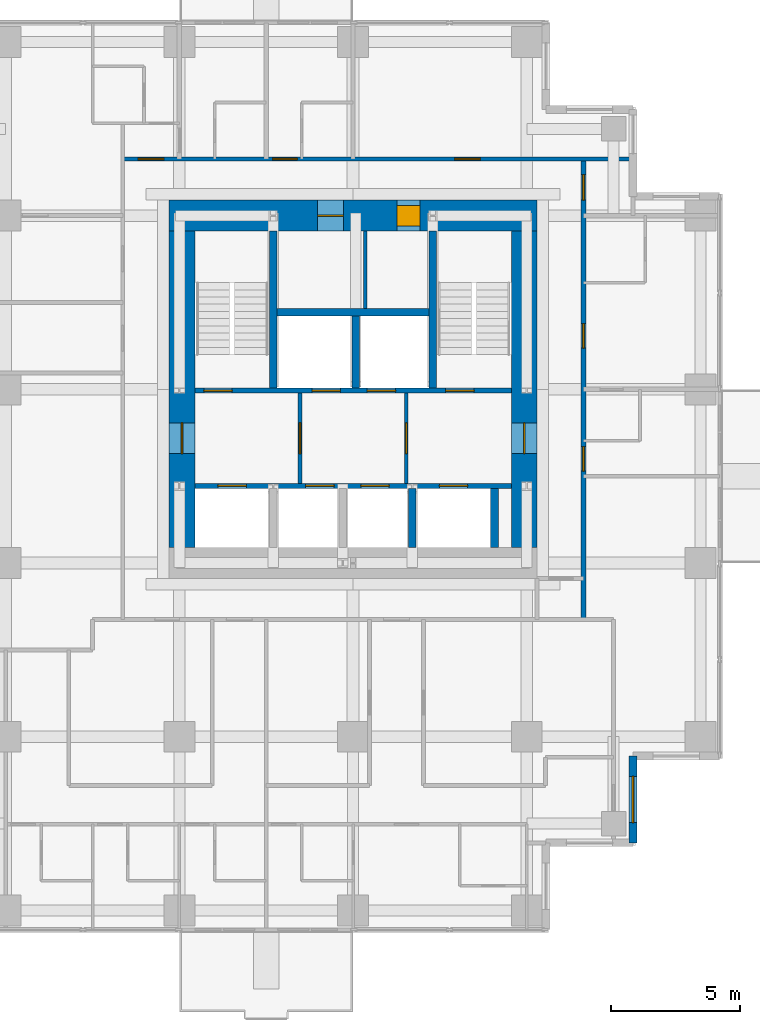
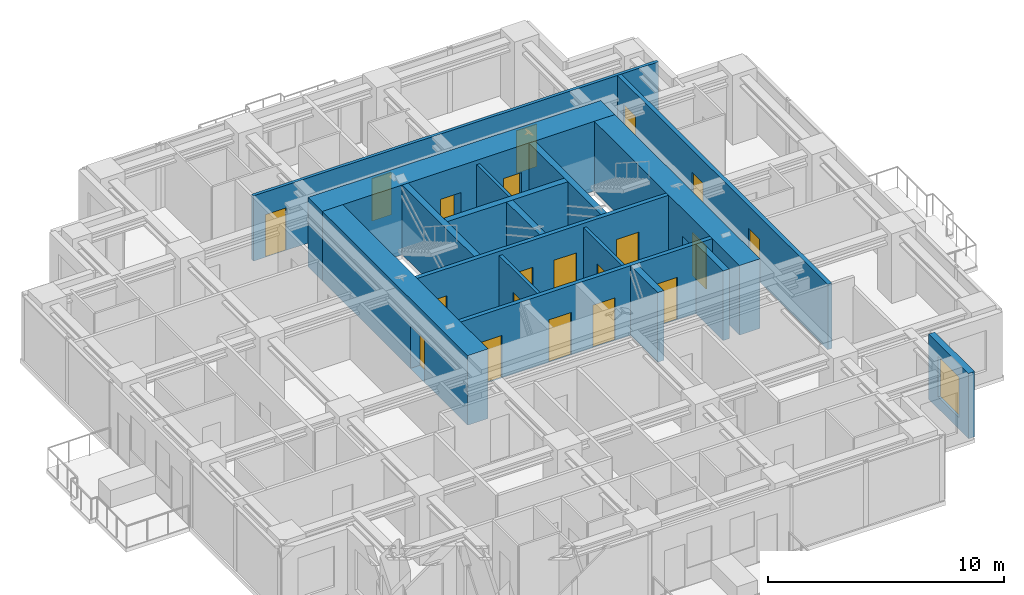
# One storey, part 7 of 10: 20 doors, 17 walls, 1 window, 21 openings.
"""IFC4 building model written with IfcOpenShell, lengths in metres."""

from ifc_helpers import new_model, si_unit, direction, frame, frame_2d, origin, place, context, subcontext, project, spatial, rectangle, extrude, material, layer, layer_set, type_object, element, fill, save


model = new_model("IFC4")

# Units and contexts
model_context = context("Model", 3, precision=1e-05, world=origin(), true_north=direction((0.0, 1.0)))
body_context = subcontext(model_context, "Body", "Model", "MODEL_VIEW")
ifc_project = project(units=[si_unit("LENGTHUNIT", "METRE"), si_unit("AREAUNIT", "SQUARE_METRE"), si_unit("VOLUMEUNIT", "CUBIC_METRE"), si_unit("PLANEANGLEUNIT", "RADIAN"), si_unit("MASSUNIT", "GRAM", prefix="KILO")], contexts=[model_context])

# Site, building, storey
site_placement = place(None, origin())
site = spatial("IfcSite", under=ifc_project, at=site_placement, CompositionType="ELEMENT")
building_placement = place(site_placement, origin())
building = spatial("IfcBuilding", under=site, at=building_placement, Name="Nyansa Garden Tower", CompositionType="ELEMENT")
storey_placement = place(building_placement, frame((0.0, 0.0, 178.199951171875)))
storey = spatial("IfcBuildingStorey", under=building, at=storey_placement, Name="L48", CompositionType="ELEMENT", Elevation=178.199951171875)

# Wall, openings, doors
ifc_material_1 = material(Name="Concrete C70/85", Category="concrete")
ifc_layer_1 = layer(ifc_material_1, 0.199951171875)
ifc_layer_set_1 = layer_set([ifc_layer_1], Name="Core inner wall CI200")
wall_type_1 = type_object("IfcWallType", Name="Core inner wall CI200", PredefinedType="SHEAR", material=ifc_layer_set_1)
wall_1_placement = place(storey_placement, frame((14.10009765625, 16.5, 0.0), z_axis=(0.0, 0.0, 1.0), x_axis=(1.0, 0.0, 0.0)))
wall_1 = element("IfcWall", 1, at=wall_1_placement, inside=storey, type_object=wall_type_1, Name="Core inner wall L48", PredefinedType="SHEAR", context=body_context, shape_type="SweptSolid", body=[
    extrude(rectangle(XDim=12.2998046875, YDim=0.199951171875, at=frame_2d((6.14990234375, 0.0))), origin(), (0.0, 0.0, 1.0), 3.60009765625),
])
opening_1_placement = place(wall_1_placement, frame((0.89990234375, 0.0, 0.0)))
opening_1 = element("IfcOpeningElement", 2, at=opening_1_placement, cuts=wall_1, Name="Opening LD-F", PredefinedType="OPENING", context=body_context, shape_type="SweptSolid", body=[
    extrude(rectangle(XDim=1.10009765625, YDim=2.199951171875, at=frame_2d((0.550048828125, 1.10009765625))), frame((0.0, 0.10986328125, 0.0), z_axis=(0.0, -1.0, 0.0), x_axis=(1.0, 0.0, 0.0)), (0.0, 0.0, 1.0), 0.219970703125),
])
opening_2_placement = place(wall_1_placement, frame((4.31005859375, 0.0, 0.0)))
opening_2 = element("IfcOpeningElement", 3, at=opening_2_placement, cuts=wall_1, Name="Opening LD-B", PredefinedType="OPENING", context=body_context, shape_type="SweptSolid", body=[
    extrude(rectangle(XDim=1.10009765625, YDim=2.199951171875, at=frame_2d((0.550048828125, 1.10009765625))), frame((0.0, 0.10986328125, 0.0), z_axis=(0.0, -1.0, 0.0), x_axis=(1.0, 0.0, 0.0)), (0.0, 0.0, 1.0), 0.219970703125),
])
opening_3_placement = place(wall_1_placement, frame((6.449951171875, 0.0, 0.0)))
opening_3 = element("IfcOpeningElement", 4, at=opening_3_placement, cuts=wall_1, Name="Opening LD-B", PredefinedType="OPENING", context=body_context, shape_type="SweptSolid", body=[
    extrude(rectangle(XDim=1.10009765625, YDim=2.199951171875, at=frame_2d((0.550048828125, 1.10009765625))), frame((0.0, 0.10986328125, 0.0), z_axis=(0.0, -1.0, 0.0), x_axis=(1.0, 0.0, 0.0)), (0.0, 0.0, 1.0), 0.219970703125),
])
opening_4_placement = place(wall_1_placement, frame((9.5, 0.0, 0.0)))
opening_4 = element("IfcOpeningElement", 5, at=opening_4_placement, cuts=wall_1, Name="Opening LD-F", PredefinedType="OPENING", context=body_context, shape_type="SweptSolid", body=[
    extrude(rectangle(XDim=1.10009765625, YDim=2.199951171875, at=frame_2d((0.550048828125, 1.10009765625))), frame((0.0, 0.10986328125, 0.0), z_axis=(0.0, -1.0, 0.0), x_axis=(1.0, 0.0, 0.0)), (0.0, 0.0, 1.0), 0.219970703125),
])
ifc_material_2 = material(Name="Stainless steel centre-opening landing door of the high-rise lift, E 120", Category="steel")
door_type_1 = type_object("IfcDoorType", Name="Lift landing door LD-B 1100x2200", OperationType="DOUBLE_DOOR_SLIDING", PredefinedType="DOOR", material=ifc_material_2)
door_1_placement = place(opening_2_placement, origin())
door_1 = element("IfcDoor", 6, at=door_1_placement, inside=storey, type_object=door_type_1, Name="Landing door B1", OperationType="DOUBLE_DOOR_SLIDING", OverallHeight=2.199951171875, OverallWidth=1.10009765625, PredefinedType="DOOR", context=body_context, shape_type="SweptSolid", body=[
    extrude(rectangle(XDim=1.10009765625, YDim=2.199951171875, at=frame_2d((0.550048828125, 1.10009765625))), frame((0.0, 0.02490234375, 0.0), z_axis=(0.0, -1.0, 0.0), x_axis=(1.0, 0.0, 0.0)), (0.0, 0.0, 1.0), 0.050048828125),
])
fill(opening_2, door_1)
door_2_placement = place(opening_3_placement, origin())
door_2 = element("IfcDoor", 7, at=door_2_placement, inside=storey, type_object=door_type_1, Name="Landing door B2", OperationType="DOUBLE_DOOR_SLIDING", OverallHeight=2.199951171875, OverallWidth=1.10009765625, PredefinedType="DOOR", context=body_context, shape_type="SweptSolid", body=[
    extrude(rectangle(XDim=1.10009765625, YDim=2.199951171875, at=frame_2d((0.550048828125, 1.10009765625))), frame((0.0, 0.02490234375, 0.0), z_axis=(0.0, -1.0, 0.0), x_axis=(1.0, 0.0, 0.0)), (0.0, 0.0, 1.0), 0.050048828125),
])
fill(opening_3, door_2)
ifc_material_3 = material(Name="Stainless steel centre-opening landing door of the firefighting lift, EN 81-72, E 120", Category="steel")
door_type_2 = type_object("IfcDoorType", Name="Lift landing door LD-F 1100x2200", OperationType="DOUBLE_DOOR_SLIDING", PredefinedType="DOOR", material=ifc_material_3)
door_3_placement = place(opening_1_placement, origin())
door_3 = element("IfcDoor", 8, at=door_3_placement, inside=storey, type_object=door_type_2, Name="Landing door FF1", OperationType="DOUBLE_DOOR_SLIDING", OverallHeight=2.199951171875, OverallWidth=1.10009765625, PredefinedType="DOOR", context=body_context, shape_type="SweptSolid", body=[
    extrude(rectangle(XDim=1.10009765625, YDim=2.199951171875, at=frame_2d((0.550048828125, 1.10009765625))), frame((0.0, 0.02490234375, 0.0), z_axis=(0.0, -1.0, 0.0), x_axis=(1.0, 0.0, 0.0)), (0.0, 0.0, 1.0), 0.050048828125),
])
fill(opening_1, door_3)
door_4_placement = place(opening_4_placement, origin())
door_4 = element("IfcDoor", 9, at=door_4_placement, inside=storey, type_object=door_type_2, Name="Landing door FF2", OperationType="DOUBLE_DOOR_SLIDING", OverallHeight=2.199951171875, OverallWidth=1.10009765625, PredefinedType="DOOR", context=body_context, shape_type="SweptSolid", body=[
    extrude(rectangle(XDim=1.10009765625, YDim=2.199951171875, at=frame_2d((0.550048828125, 1.10009765625))), frame((0.0, 0.02490234375, 0.0), z_axis=(0.0, -1.0, 0.0), x_axis=(1.0, 0.0, 0.0)), (0.0, 0.0, 1.0), 0.050048828125),
])
fill(opening_4, door_4)

wall_2_placement = place(storey_placement, frame((14.10009765625, 20.199951171875, 0.0), z_axis=(0.0, 0.0, 1.0), x_axis=(1.0, 0.0, 0.0)))
wall_2 = element("IfcWall", 10, at=wall_2_placement, inside=storey, type_object=wall_type_1, Name="Core inner wall L48", PredefinedType="SHEAR", context=body_context, shape_type="SweptSolid", body=[
    extrude(rectangle(XDim=12.2998046875, YDim=0.199951171875, at=frame_2d((6.14990234375, 0.0))), origin(), (0.0, 0.0, 1.0), 3.60009765625),
])
opening_5_placement = place(wall_2_placement, frame((4.56005859375, 0.0, 0.0)))
opening_5 = element("IfcOpeningElement", 11, at=opening_5_placement, cuts=wall_2, Name="Opening LD-B", PredefinedType="OPENING", context=body_context, shape_type="SweptSolid", body=[
    extrude(rectangle(XDim=1.10009765625, YDim=2.199951171875, at=frame_2d((0.550048828125, 1.10009765625))), frame((0.0, 0.10986328125, 0.0), z_axis=(0.0, -1.0, 0.0), x_axis=(1.0, 0.0, 0.0)), (0.0, 0.0, 1.0), 0.219970703125),
])
opening_6_placement = place(wall_2_placement, frame((6.699951171875, 0.0, 0.0)))
opening_6 = element("IfcOpeningElement", 12, at=opening_6_placement, cuts=wall_2, Name="Opening LD-B", PredefinedType="OPENING", context=body_context, shape_type="SweptSolid", body=[
    extrude(rectangle(XDim=1.10009765625, YDim=2.199951171875, at=frame_2d((0.550048828125, 1.10009765625))), frame((0.0, 0.10986328125, 0.0), z_axis=(0.0, -1.0, 0.0), x_axis=(1.0, 0.0, 0.0)), (0.0, 0.0, 1.0), 0.219970703125),
])
opening_7_placement = place(wall_2_placement, frame((0.35009765625, 0.0, 0.0)))
opening_7 = element("IfcOpeningElement", 13, at=opening_7_placement, cuts=wall_2, Name="Opening D05", PredefinedType="OPENING", context=body_context, shape_type="SweptSolid", body=[
    extrude(rectangle(XDim=1.10009765625, YDim=2.199951171875, at=frame_2d((0.550048828125, 1.10009765625))), frame((0.0, 0.10986328125, 0.0), z_axis=(0.0, -1.0, 0.0), x_axis=(1.0, 0.0, 0.0)), (0.0, 0.0, 1.0), 0.219970703125),
])
opening_8_placement = place(wall_2_placement, frame((9.75, 0.0, 0.0)))
opening_8 = element("IfcOpeningElement", 14, at=opening_8_placement, cuts=wall_2, Name="Opening D05", PredefinedType="OPENING", context=body_context, shape_type="SweptSolid", body=[
    extrude(rectangle(XDim=1.10009765625, YDim=2.199951171875, at=frame_2d((0.550048828125, 1.10009765625))), frame((0.0, 0.10986328125, 0.0), z_axis=(0.0, -1.0, 0.0), x_axis=(1.0, 0.0, 0.0)), (0.0, 0.0, 1.0), 0.219970703125),
])
door_5_placement = place(opening_5_placement, origin())
door_5 = element("IfcDoor", 15, at=door_5_placement, inside=storey, type_object=door_type_1, Name="Landing door B3", OperationType="DOUBLE_DOOR_SLIDING", OverallHeight=2.199951171875, OverallWidth=1.10009765625, PredefinedType="DOOR", context=body_context, shape_type="SweptSolid", body=[
    extrude(rectangle(XDim=1.10009765625, YDim=2.199951171875, at=frame_2d((0.550048828125, 1.10009765625))), frame((0.0, 0.02490234375, 0.0), z_axis=(0.0, -1.0, 0.0), x_axis=(1.0, 0.0, 0.0)), (0.0, 0.0, 1.0), 0.050048828125),
])
fill(opening_5, door_5)
door_6_placement = place(opening_6_placement, origin())
door_6 = element("IfcDoor", 16, at=door_6_placement, inside=storey, type_object=door_type_1, Name="Landing door B4", OperationType="DOUBLE_DOOR_SLIDING", OverallHeight=2.199951171875, OverallWidth=1.10009765625, PredefinedType="DOOR", context=body_context, shape_type="SweptSolid", body=[
    extrude(rectangle(XDim=1.10009765625, YDim=2.199951171875, at=frame_2d((0.550048828125, 1.10009765625))), frame((0.0, 0.02490234375, 0.0), z_axis=(0.0, -1.0, 0.0), x_axis=(1.0, 0.0, 0.0)), (0.0, 0.0, 1.0), 0.050048828125),
])
fill(opening_6, door_6)
ifc_material_4 = material(Name="Steel door, 120 minute fire resisting", Category="steel")
door_type_3 = type_object("IfcDoorType", Name="Stair door D05 1100x2200", OperationType="SINGLE_SWING_LEFT", PredefinedType="DOOR", material=ifc_material_4)
door_7_placement = place(opening_7_placement, origin())
door_7 = element("IfcDoor", 17, at=door_7_placement, inside=storey, type_object=door_type_3, Name="Stair S1 door", OperationType="SINGLE_SWING_LEFT", OverallHeight=2.199951171875, OverallWidth=1.10009765625, PredefinedType="DOOR", context=body_context, shape_type="SweptSolid", body=[
    extrude(rectangle(XDim=1.10009765625, YDim=2.199951171875, at=frame_2d((0.550048828125, 1.10009765625))), frame((0.0, 0.02490234375, 0.0), z_axis=(0.0, -1.0, 0.0), x_axis=(1.0, 0.0, 0.0)), (0.0, 0.0, 1.0), 0.050048828125),
])
fill(opening_7, door_7)
door_8_placement = place(opening_8_placement, origin())
door_8 = element("IfcDoor", 18, at=door_8_placement, inside=storey, type_object=door_type_3, Name="Stair S2 door", OperationType="SINGLE_SWING_LEFT", OverallHeight=2.199951171875, OverallWidth=1.10009765625, PredefinedType="DOOR", context=body_context, shape_type="SweptSolid", body=[
    extrude(rectangle(XDim=1.10009765625, YDim=2.199951171875, at=frame_2d((0.550048828125, 1.10009765625))), frame((0.0, 0.02490234375, 0.0), z_axis=(0.0, -1.0, 0.0), x_axis=(1.0, 0.0, 0.0)), (0.0, 0.0, 1.0), 0.050048828125),
])
fill(opening_8, door_8)

# Walls
ifc_material_5 = material(Name="Concrete C70/85", Category="concrete")
ifc_layer_2 = layer(ifc_material_5, 0.300048828125)
ifc_layer_set_2 = layer_set([ifc_layer_2], Name="Core inner wall CI300")
wall_type_2 = type_object("IfcWallType", Name="Core inner wall CI300", PredefinedType="SHEAR", material=ifc_layer_set_2)
for number, where, z_axis, x_axis, name in (
    (19, (17.14990234375, 20.300048828125, 0.0), (0.0, 0.0, 1.0), (0.0, 1.0, 0.0), "Core inner wall L48"),
    (20, (23.35009765625, 20.300048828125, 0.0), (0.0, 0.0, 1.0), (0.0, 1.0, 0.0), "Core inner wall L48"),
):
    element("IfcWall", number, at=place(storey_placement, frame(where, z_axis=z_axis, x_axis=x_axis)), inside=storey, type_object=wall_type_2, Name=name, PredefinedType="SHEAR", context=body_context, shape_type="SweptSolid", body=[
        extrude(rectangle(XDim=6.099853515625, YDim=0.300048828125, at=frame_2d((3.0498046875, 0.0))), origin(), (0.0, 0.0, 1.0), 3.60009765625),
    ])
wall_3_placement = place(storey_placement, frame((20.35009765625, 20.300048828125, 0.0), z_axis=(0.0, 0.0, 1.0), x_axis=(0.0, 1.0, 0.0)))
element("IfcWall", 21, at=wall_3_placement, inside=storey, type_object=wall_type_2, Name="Core inner wall L48", PredefinedType="SHEAR", context=body_context, shape_type="SweptSolid", body=[
    extrude(rectangle(XDim=2.800048828125, YDim=0.300048828125, at=frame_2d((1.39990234375, 0.0))), origin(), (0.0, 0.0, 1.0), 3.60009765625),
])
wall_4_placement = place(storey_placement, frame((17.300048828125, 23.25, 0.0), z_axis=(0.0, 0.0, 1.0), x_axis=(1.0, 0.0, 0.0)))
element("IfcWall", 22, at=wall_4_placement, inside=storey, type_object=wall_type_2, Name="Core inner wall L48", PredefinedType="SHEAR", context=body_context, shape_type="SweptSolid", body=[
    extrude(rectangle(XDim=5.89990234375, YDim=0.300048828125, at=frame_2d((2.949951171875, 0.0))), origin(), (0.0, 0.0, 1.0), 3.60009765625),
])
for number, where, z_axis, x_axis, name in (
    (23, (22.550048828125, 14.10009765625, 0.0), (0.0, 0.0, 1.0), (0.0, 1.0, 0.0), "Core inner wall L48"),
    (24, (25.75, 14.10009765625, 0.0), (0.0, 0.0, 1.0), (0.0, 1.0, 0.0), "Core inner wall L48"),
):
    element("IfcWall", number, at=place(storey_placement, frame(where, z_axis=z_axis, x_axis=x_axis)), inside=storey, type_object=wall_type_2, Name=name, PredefinedType="SHEAR", context=body_context, shape_type="SweptSolid", body=[
        extrude(rectangle(XDim=2.2998046875, YDim=0.300048828125, at=frame_2d((1.14990234375, 0.0))), origin(), (0.0, 0.0, 1.0), 3.60009765625),
    ])

# Wall, opening, door
ifc_material_6 = material(Name="Concrete C80/95", Category="concrete")
ifc_layer_3 = layer(ifc_material_6, 1.0)
ifc_layer_set_3 = layer_set([ifc_layer_3], Name="Core wall CW1000")
wall_type_3 = type_object("IfcWallType", Name="Core wall CW1000", PredefinedType="SHEAR", material=ifc_layer_set_3)
wall_5_placement = place(storey_placement, frame((26.89990234375, 14.10009765625, 0.0), z_axis=(0.0, 0.0, 1.0), x_axis=(0.0, 1.0, 0.0)))
wall_5 = element("IfcWall", 25, at=wall_5_placement, inside=storey, type_object=wall_type_3, Name="Core wall E L48", PredefinedType="SHEAR", context=body_context, shape_type="SweptSolid", body=[
    extrude(rectangle(XDim=12.2998046875, YDim=1.0, at=frame_2d((6.14990234375, 0.0))), origin(), (0.0, 0.0, 1.0), 3.60009765625),
])
opening_9_placement = place(wall_5_placement, frame((3.64990234375, 0.0, 0.0)))
opening_9 = element("IfcOpeningElement", 26, at=opening_9_placement, cuts=wall_5, Name="Opening D06", PredefinedType="OPENING", context=body_context, shape_type="SweptSolid", body=[
    extrude(rectangle(XDim=1.199951171875, YDim=2.199951171875, at=frame_2d((0.60009765625, 1.10009765625))), frame((0.0, 0.510009765625, 0.0), z_axis=(0.0, -1.0, 0.0), x_axis=(1.0, 0.0, 0.0)), (0.0, 0.0, 1.0), 1.02001953125),
])
ifc_material_7 = material(Name="Steel door, 120 minute fire resisting", Category="steel")
door_type_4 = type_object("IfcDoorType", Name="Lobby door D06 1200x2200", OperationType="DOUBLE_DOOR_SINGLE_SWING", PredefinedType="DOOR", material=ifc_material_7)
door_9_placement = place(opening_9_placement, origin())
door_9 = element("IfcDoor", 27, at=door_9_placement, inside=storey, type_object=door_type_4, Name="Lift lobby door east", OperationType="DOUBLE_DOOR_SINGLE_SWING", OverallHeight=2.199951171875, OverallWidth=1.199951171875, PredefinedType="DOOR", context=body_context, shape_type="SweptSolid", body=[
    extrude(rectangle(XDim=1.199951171875, YDim=2.199951171875, at=frame_2d((0.60009765625, 1.10009765625))), frame((0.0, 0.02490234375, 0.0), z_axis=(0.0, -1.0, 0.0), x_axis=(1.0, 0.0, 0.0)), (0.0, 0.0, 1.0), 0.050048828125),
])
fill(opening_9, door_9)

wall_6_placement = place(storey_placement, frame((13.60009765625, 26.39990234375, 0.0), z_axis=(0.0, 0.0, 1.0), x_axis=(0.0, -1.0, 0.0)))
wall_6 = element("IfcWall", 28, at=wall_6_placement, inside=storey, type_object=wall_type_3, Name="Core wall W L48", PredefinedType="SHEAR", context=body_context, shape_type="SweptSolid", body=[
    extrude(rectangle(XDim=12.2998046875, YDim=1.0, at=frame_2d((6.14990234375, 0.0))), origin(), (0.0, 0.0, 1.0), 3.60009765625),
])
opening_10_placement = place(wall_6_placement, frame((7.449951171875, 0.0, 0.0)))
opening_10 = element("IfcOpeningElement", 29, at=opening_10_placement, cuts=wall_6, Name="Opening D06", PredefinedType="OPENING", context=body_context, shape_type="SweptSolid", body=[
    extrude(rectangle(XDim=1.199951171875, YDim=2.199951171875, at=frame_2d((0.60009765625, 1.10009765625))), frame((0.0, 0.510009765625, 0.0), z_axis=(0.0, -1.0, 0.0), x_axis=(1.0, 0.0, 0.0)), (0.0, 0.0, 1.0), 1.02001953125),
])
door_10_placement = place(opening_10_placement, origin())
door_10 = element("IfcDoor", 30, at=door_10_placement, inside=storey, type_object=door_type_4, Name="Lift lobby door west", OperationType="DOUBLE_DOOR_SINGLE_SWING", OverallHeight=2.199951171875, OverallWidth=1.199951171875, PredefinedType="DOOR", context=body_context, shape_type="SweptSolid", body=[
    extrude(rectangle(XDim=1.199951171875, YDim=2.199951171875, at=frame_2d((0.60009765625, 1.10009765625))), frame((0.0, 0.02490234375, 0.0), z_axis=(0.0, -1.0, 0.0), x_axis=(1.0, 0.0, 0.0)), (0.0, 0.0, 1.0), 0.050048828125),
])
fill(opening_10, door_10)

# Wall, openings, doors
ifc_material_8 = material(Name="Concrete C80/95", Category="concrete")
ifc_layer_4 = layer(ifc_material_8, 1.199951171875)
ifc_layer_set_4 = layer_set([ifc_layer_4], Name="Core wall CW1200")
wall_type_4 = type_object("IfcWallType", Name="Core wall CW1200", PredefinedType="SHEAR", material=ifc_layer_set_4)
wall_7_placement = place(storey_placement, frame((27.39990234375, 27.0, 0.0), z_axis=(0.0, 0.0, 1.0), x_axis=(-1.0, 0.0, 0.0)))
wall_7 = element("IfcWall", 31, at=wall_7_placement, inside=storey, type_object=wall_type_4, Name="Core wall N L48", PredefinedType="SHEAR", context=body_context, shape_type="SweptSolid", body=[
    extrude(rectangle(XDim=14.2998046875, YDim=1.199951171875, at=frame_2d((7.14990234375, 0.0))), origin(), (0.0, 0.0, 1.0), 3.60009765625),
])
opening_11_placement = place(wall_7_placement, frame((4.550048828125, 0.0, 0.0)))
opening_11 = element("IfcOpeningElement", 32, at=opening_11_placement, cuts=wall_7, Name="Opening D15", PredefinedType="OPENING", context=body_context, shape_type="SweptSolid", body=[
    extrude(rectangle(XDim=0.89990234375, YDim=2.199951171875, at=frame_2d((0.449951171875, 1.10009765625))), frame((0.0, 0.60986328125, 0.0), z_axis=(0.0, -1.0, 0.0), x_axis=(1.0, 0.0, 0.0)), (0.0, 0.0, 1.0), 1.219970703125),
])
opening_12_placement = place(wall_7_placement, frame((7.52490234375, 0.0, 0.0)))
opening_12 = element("IfcOpeningElement", 33, at=opening_12_placement, cuts=wall_7, Name="Opening D07", PredefinedType="OPENING", context=body_context, shape_type="SweptSolid", body=[
    extrude(rectangle(XDim=1.0, YDim=2.199951171875, at=frame_2d((0.5, 1.10009765625))), frame((0.0, 0.60986328125, 0.0), z_axis=(0.0, -1.0, 0.0), x_axis=(1.0, 0.0, 0.0)), (0.0, 0.0, 1.0), 1.219970703125),
])
ifc_material_9 = material(Name="Timber flush door, 60 minute fire resisting, self-closing", Category="wood")
door_type_5 = type_object("IfcDoorType", Name="Core room door D15 900x2200", OperationType="SINGLE_SWING_LEFT", PredefinedType="DOOR", material=ifc_material_9)
door_11_placement = place(opening_11_placement, origin())
door_11 = element("IfcDoor", 34, at=door_11_placement, inside=storey, type_object=door_type_5, Name="Core room door", OperationType="SINGLE_SWING_LEFT", OverallHeight=2.199951171875, OverallWidth=0.89990234375, PredefinedType="DOOR", context=body_context, shape_type="SweptSolid", body=[
    extrude(rectangle(XDim=0.89990234375, YDim=2.199951171875, at=frame_2d((0.449951171875, 1.10009765625))), frame((0.0, 0.39990234375, 0.0), z_axis=(0.0, -1.0, 0.0), x_axis=(1.0, 0.0, 0.0)), (0.0, 0.0, 1.0), 0.800048828125),
])
fill(opening_11, door_11)
ifc_material_10 = material(Name="Steel door, 120 minute fire resisting", Category="steel")
door_type_6 = type_object("IfcDoorType", Name="Riser door D07 1000x2200", OperationType="SINGLE_SWING_LEFT", PredefinedType="DOOR", material=ifc_material_10)
door_12_placement = place(opening_12_placement, origin())
door_12 = element("IfcDoor", 35, at=door_12_placement, inside=storey, type_object=door_type_6, Name="Riser and refuse room door", OperationType="SINGLE_SWING_LEFT", OverallHeight=2.199951171875, OverallWidth=1.0, PredefinedType="DOOR", context=body_context, shape_type="SweptSolid", body=[
    extrude(rectangle(XDim=1.0, YDim=2.199951171875, at=frame_2d((0.5, 1.10009765625))), frame((0.0, 0.02490234375, 0.0), z_axis=(0.0, -1.0, 0.0), x_axis=(1.0, 0.0, 0.0)), (0.0, 0.0, 1.0), 0.050048828125),
])
fill(opening_12, door_12)

ifc_material_11 = material(Name="Concrete blockwork, plastered, 60 minute fire resisting", Category="masonry")
ifc_layer_5 = layer(ifc_material_11, 0.199951171875)
ifc_layer_set_5 = layer_set([ifc_layer_5], Name="Corridor wall FW200")
wall_type_5 = type_object("IfcWallType", Name="Corridor wall FW200", PredefinedType="PARTITIONING", material=ifc_layer_set_5)
wall_8_placement = place(storey_placement, frame((29.199951171875, 11.300048828125, 0.0), z_axis=(0.0, 0.0, 1.0), x_axis=(0.0, 1.0, 0.0)))
wall_8 = element("IfcWall", 36, at=wall_8_placement, inside=storey, type_object=wall_type_5, Name="Corridor wall", PredefinedType="PARTITIONING", context=body_context, shape_type="SweptSolid", body=[
    extrude(rectangle(XDim=17.89990234375, YDim=0.199951171875, at=frame_2d((8.949951171875, 0.0))), origin(), (0.0, 0.0, 1.0), 3.375),
])
opening_13_placement = place(wall_8_placement, frame((10.550048828125, 0.0, 0.0)))
opening_13 = element("IfcOpeningElement", 37, at=opening_13_placement, cuts=wall_8, Name="Opening D14", PredefinedType="OPENING", context=body_context, shape_type="SweptSolid", body=[
    extrude(rectangle(XDim=0.949951171875, YDim=2.199951171875, at=frame_2d((0.47509765625, 1.10009765625))), frame((0.0, 0.10986328125, 0.0), z_axis=(0.0, -1.0, 0.0), x_axis=(1.0, 0.0, 0.0)), (0.0, 0.0, 1.0), 0.219970703125),
])
opening_14_placement = place(wall_8_placement, frame((5.77490234375, 0.0, 0.0)))
opening_14 = element("IfcOpeningElement", 38, at=opening_14_placement, cuts=wall_8, Name="Opening D14", PredefinedType="OPENING", context=body_context, shape_type="SweptSolid", body=[
    extrude(rectangle(XDim=0.949951171875, YDim=2.199951171875, at=frame_2d((0.47509765625, 1.10009765625))), frame((0.0, 0.10986328125, 0.0), z_axis=(0.0, -1.0, 0.0), x_axis=(1.0, 0.0, 0.0)), (0.0, 0.0, 1.0), 0.219970703125),
])
opening_15_placement = place(wall_8_placement, frame((16.300048828125, 0.0, 0.0)))
opening_15 = element("IfcOpeningElement", 39, at=opening_15_placement, cuts=wall_8, Name="Opening D03", PredefinedType="OPENING", context=body_context, shape_type="SweptSolid", body=[
    extrude(rectangle(XDim=1.0, YDim=2.199951171875, at=frame_2d((0.5, 1.10009765625))), frame((0.0, 0.10986328125, 0.0), z_axis=(0.0, -1.0, 0.0), x_axis=(1.0, 0.0, 0.0)), (0.0, 0.0, 1.0), 0.219970703125),
])
ifc_material_12 = material(Name="Timber flush door, 60 minute fire resisting", Category="wood")
door_type_7 = type_object("IfcDoorType", Name="Cluster entrance door D03 1000x2200", OperationType="SINGLE_SWING_LEFT", PredefinedType="DOOR", material=ifc_material_12)
door_13_placement = place(opening_15_placement, origin())
door_13 = element("IfcDoor", 40, at=door_13_placement, inside=storey, type_object=door_type_7, Name="Door L48-038", OperationType="SINGLE_SWING_LEFT", OverallHeight=2.199951171875, OverallWidth=1.0, PredefinedType="DOOR", context=body_context, shape_type="SweptSolid", body=[
    extrude(rectangle(XDim=1.0, YDim=2.199951171875, at=frame_2d((0.5, 1.10009765625))), frame((0.0, 0.02490234375, 0.0), z_axis=(0.0, -1.0, 0.0), x_axis=(1.0, 0.0, 0.0)), (0.0, 0.0, 1.0), 0.050048828125),
])
fill(opening_15, door_13)
ifc_material_13 = material(Name="Timber flush door, 60 minute fire resisting, self-closing", Category="wood")
door_type_8 = type_object("IfcDoorType", Name="Studio entrance door D14 950x2200", OperationType="SINGLE_SWING_LEFT", PredefinedType="DOOR", material=ifc_material_13)
door_14_placement = place(opening_13_placement, origin())
door_14 = element("IfcDoor", 41, at=door_14_placement, inside=storey, type_object=door_type_8, Name="Door L48-034", OperationType="SINGLE_SWING_LEFT", OverallHeight=2.199951171875, OverallWidth=0.949951171875, PredefinedType="DOOR", context=body_context, shape_type="SweptSolid", body=[
    extrude(rectangle(XDim=0.949951171875, YDim=2.199951171875, at=frame_2d((0.47509765625, 1.10009765625))), frame((0.0, 0.02490234375, 0.0), z_axis=(0.0, -1.0, 0.0), x_axis=(1.0, 0.0, 0.0)), (0.0, 0.0, 1.0), 0.050048828125),
])
fill(opening_13, door_14)
door_15_placement = place(opening_14_placement, origin())
door_15 = element("IfcDoor", 42, at=door_15_placement, inside=storey, type_object=door_type_8, Name="Door L48-036", OperationType="SINGLE_SWING_LEFT", OverallHeight=2.199951171875, OverallWidth=0.949951171875, PredefinedType="DOOR", context=body_context, shape_type="SweptSolid", body=[
    extrude(rectangle(XDim=0.949951171875, YDim=2.199951171875, at=frame_2d((0.47509765625, 1.10009765625))), frame((0.0, 0.02490234375, 0.0), z_axis=(0.0, -1.0, 0.0), x_axis=(1.0, 0.0, 0.0)), (0.0, 0.0, 1.0), 0.050048828125),
])
fill(opening_14, door_15)

# Wall, opening, door
ifc_material_14 = material(Name="Blockwork, plastered both sides", Category="masonry")
ifc_layer_6 = layer(ifc_material_14, 0.14990234375)
ifc_layer_set_6 = layer_set([ifc_layer_6], Name="Partition PW150")
wall_type_6 = type_object("IfcWallType", Name="Partition PW150", PredefinedType="PARTITIONING", material=ifc_layer_set_6)
wall_9_placement = place(storey_placement, frame((18.18505859375, 16.60009765625, 0.0), z_axis=(0.0, 0.0, 1.0), x_axis=(0.0, 1.0, 0.0)))
wall_9 = element("IfcWall", 43, at=wall_9_placement, inside=storey, type_object=wall_type_6, Name="Partition", PredefinedType="PARTITIONING", context=body_context, shape_type="SweptSolid", body=[
    extrude(rectangle(XDim=3.5, YDim=0.14990234375, at=frame_2d((1.75, 0.0))), origin(), (0.0, 0.0, 1.0), 3.375),
])
opening_16_placement = place(wall_9_placement, frame((1.14990234375, 0.0, 0.0)))
opening_16 = element("IfcOpeningElement", 44, at=opening_16_placement, cuts=wall_9, Name="Opening D06", PredefinedType="OPENING", context=body_context, shape_type="SweptSolid", body=[
    extrude(rectangle(XDim=1.199951171875, YDim=2.199951171875, at=frame_2d((0.60009765625, 1.10009765625))), frame((0.0, 0.0849609375, 0.0), z_axis=(0.0, -1.0, 0.0), x_axis=(1.0, 0.0, 0.0)), (0.0, 0.0, 1.0), 0.169921875),
])
door_16_placement = place(opening_16_placement, origin())
door_16 = element("IfcDoor", 45, at=door_16_placement, inside=storey, type_object=door_type_4, Name="Passenger lift lobby door", OperationType="DOUBLE_DOOR_SINGLE_SWING", OverallHeight=2.199951171875, OverallWidth=1.199951171875, PredefinedType="DOOR", context=body_context, shape_type="SweptSolid", body=[
    extrude(rectangle(XDim=1.199951171875, YDim=2.199951171875, at=frame_2d((0.60009765625, 1.10009765625))), frame((0.0, 0.02490234375, 0.0), z_axis=(0.0, -1.0, 0.0), x_axis=(1.0, 0.0, 0.0)), (0.0, 0.0, 1.0), 0.050048828125),
])
fill(opening_16, door_16)

wall_10_placement = place(storey_placement, frame((22.31494140625, 16.60009765625, 0.0), z_axis=(0.0, 0.0, 1.0), x_axis=(0.0, 1.0, 0.0)))
wall_10 = element("IfcWall", 46, at=wall_10_placement, inside=storey, type_object=wall_type_6, Name="Partition", PredefinedType="PARTITIONING", context=body_context, shape_type="SweptSolid", body=[
    extrude(rectangle(XDim=3.5, YDim=0.14990234375, at=frame_2d((1.75, 0.0))), origin(), (0.0, 0.0, 1.0), 3.375),
])
opening_17_placement = place(wall_10_placement, frame((1.14990234375, 0.0, 0.0)))
opening_17 = element("IfcOpeningElement", 47, at=opening_17_placement, cuts=wall_10, Name="Opening D06", PredefinedType="OPENING", context=body_context, shape_type="SweptSolid", body=[
    extrude(rectangle(XDim=1.199951171875, YDim=2.199951171875, at=frame_2d((0.60009765625, 1.10009765625))), frame((0.0, 0.0849609375, 0.0), z_axis=(0.0, -1.0, 0.0), x_axis=(1.0, 0.0, 0.0)), (0.0, 0.0, 1.0), 0.169921875),
])
door_17_placement = place(opening_17_placement, origin())
door_17 = element("IfcDoor", 48, at=door_17_placement, inside=storey, type_object=door_type_4, Name="Passenger lift lobby door", OperationType="DOUBLE_DOOR_SINGLE_SWING", OverallHeight=2.199951171875, OverallWidth=1.199951171875, PredefinedType="DOOR", context=body_context, shape_type="SweptSolid", body=[
    extrude(rectangle(XDim=1.199951171875, YDim=2.199951171875, at=frame_2d((0.60009765625, 1.10009765625))), frame((0.0, 0.02490234375, 0.0), z_axis=(0.0, -1.0, 0.0), x_axis=(1.0, 0.0, 0.0)), (0.0, 0.0, 1.0), 0.050048828125),
])
fill(opening_17, door_17)

# Wall
wall_11_placement = place(storey_placement, frame((20.72509765625, 23.39990234375, 0.0), z_axis=(0.0, 0.0, 1.0), x_axis=(0.0, 1.0, 0.0)))
element("IfcWall", 49, at=wall_11_placement, inside=storey, type_object=wall_type_6, Name="Partition", PredefinedType="PARTITIONING", context=body_context, shape_type="SweptSolid", body=[
    extrude(rectangle(XDim=3.0, YDim=0.14990234375, at=frame_2d((1.5, 0.0))), origin(), (0.0, 0.0, 1.0), 3.375),
])

# Wall, openings, doors
wall_12_placement = place(storey_placement, frame((11.300048828125, 29.199951171875, 0.0), z_axis=(0.0, 0.0, 1.0), x_axis=(1.0, 0.0, 0.0)))
wall_12 = element("IfcWall", 50, at=wall_12_placement, inside=storey, type_object=wall_type_6, Name="Partition", PredefinedType="PARTITIONING", context=body_context, shape_type="SweptSolid", body=[
    extrude(rectangle(XDim=19.808837890625, YDim=0.14990234375, at=frame_2d((9.904296875, 0.0))), origin(), (0.0, 0.0, 1.0), 3.375),
])
opening_18_placement = place(wall_12_placement, frame((12.89990234375, 0.0, 0.0)))
opening_18 = element("IfcOpeningElement", 51, at=opening_18_placement, cuts=wall_12, Name="Opening D03", PredefinedType="OPENING", context=body_context, shape_type="SweptSolid", body=[
    extrude(rectangle(XDim=1.0, YDim=2.199951171875, at=frame_2d((0.5, 1.10009765625))), frame((0.0, 0.0849609375, 0.0), z_axis=(0.0, -1.0, 0.0), x_axis=(1.0, 0.0, 0.0)), (0.0, 0.0, 1.0), 0.169921875),
])
opening_19_placement = place(wall_12_placement, frame((5.824951171875, 0.0, 0.0)))
opening_19 = element("IfcOpeningElement", 52, at=opening_19_placement, cuts=wall_12, Name="Opening D14", PredefinedType="OPENING", context=body_context, shape_type="SweptSolid", body=[
    extrude(rectangle(XDim=0.949951171875, YDim=2.199951171875, at=frame_2d((0.47509765625, 1.10009765625))), frame((0.0, 0.0849609375, 0.0), z_axis=(0.0, -1.0, 0.0), x_axis=(1.0, 0.0, 0.0)), (0.0, 0.0, 1.0), 0.169921875),
])
opening_20_placement = place(wall_12_placement, frame((0.60009765625, 0.0, 0.0)))
opening_20 = element("IfcOpeningElement", 53, at=opening_20_placement, cuts=wall_12, Name="Opening D03", PredefinedType="OPENING", context=body_context, shape_type="SweptSolid", body=[
    extrude(rectangle(XDim=1.0, YDim=2.199951171875, at=frame_2d((0.5, 1.10009765625))), frame((0.0, 0.0849609375, 0.0), z_axis=(0.0, -1.0, 0.0), x_axis=(1.0, 0.0, 0.0)), (0.0, 0.0, 1.0), 0.169921875),
])
door_18_placement = place(opening_18_placement, origin())
door_18 = element("IfcDoor", 54, at=door_18_placement, inside=storey, type_object=door_type_7, Name="Door L48-039", OperationType="SINGLE_SWING_LEFT", OverallHeight=2.199951171875, OverallWidth=1.0, PredefinedType="DOOR", context=body_context, shape_type="SweptSolid", body=[
    extrude(rectangle(XDim=1.0, YDim=2.199951171875, at=frame_2d((0.5, 1.10009765625))), frame((0.0, 0.02490234375, 0.0), z_axis=(0.0, -1.0, 0.0), x_axis=(1.0, 0.0, 0.0)), (0.0, 0.0, 1.0), 0.050048828125),
])
fill(opening_18, door_18)
door_19_placement = place(opening_20_placement, origin())
door_19 = element("IfcDoor", 55, at=door_19_placement, inside=storey, type_object=door_type_7, Name="Door L48-046", OperationType="SINGLE_SWING_LEFT", OverallHeight=2.199951171875, OverallWidth=1.0, PredefinedType="DOOR", context=body_context, shape_type="SweptSolid", body=[
    extrude(rectangle(XDim=1.0, YDim=2.199951171875, at=frame_2d((0.5, 1.10009765625))), frame((0.0, 0.02490234375, 0.0), z_axis=(0.0, -1.0, 0.0), x_axis=(1.0, 0.0, 0.0)), (0.0, 0.0, 1.0), 0.050048828125),
])
fill(opening_20, door_19)
door_20_placement = place(opening_19_placement, origin())
door_20 = element("IfcDoor", 56, at=door_20_placement, inside=storey, type_object=door_type_8, Name="Door L48-044", OperationType="SINGLE_SWING_LEFT", OverallHeight=2.199951171875, OverallWidth=0.949951171875, PredefinedType="DOOR", context=body_context, shape_type="SweptSolid", body=[
    extrude(rectangle(XDim=0.949951171875, YDim=2.199951171875, at=frame_2d((0.47509765625, 1.10009765625))), frame((0.0, 0.02490234375, 0.0), z_axis=(0.0, -1.0, 0.0), x_axis=(1.0, 0.0, 0.0)), (0.0, 0.0, 1.0), 0.050048828125),
])
fill(opening_19, door_20)

# Wall, opening, window
ifc_material_15 = material(Name="Turquoise glazed tile on concrete blockwork", Category="masonry")
ifc_layer_7 = layer(ifc_material_15, 0.300048828125)
ifc_layer_set_7 = layer_set([ifc_layer_7], Name="Tiled corner wall TW300")
wall_type_7 = type_object("IfcWallType", Name="Tiled corner wall TW300", PredefinedType="SOLIDWALL", material=ifc_layer_set_7)
wall_13_placement = place(storey_placement, frame((31.125, 2.625, 0.0), z_axis=(0.0, 0.0, 1.0), x_axis=(0.0, 1.0, 0.0)))
wall_13 = element("IfcWall", 57, at=wall_13_placement, inside=storey, type_object=wall_type_7, Name="Tiled corner wall L48", PredefinedType="SOLIDWALL", context=body_context, shape_type="SweptSolid", body=[
    extrude(rectangle(XDim=3.375, YDim=0.300048828125, at=frame_2d((1.6875, 0.0))), origin(), (0.0, 0.0, 1.0), 3.375),
])
opening_21_placement = place(wall_13_placement, frame((0.78759765625, 0.0, 0.60009765625)))
opening_21 = element("IfcOpeningElement", 58, at=opening_21_placement, cuts=wall_13, Name="Opening W2", PredefinedType="OPENING", context=body_context, shape_type="SweptSolid", body=[
    extrude(rectangle(XDim=1.800048828125, YDim=2.10009765625, at=frame_2d((0.89990234375, 1.050048828125))), frame((0.0, 0.159912109375, 0.0), z_axis=(0.0, -1.0, 0.0), x_axis=(1.0, 0.0, 0.0)), (0.0, 0.0, 1.0), 0.320068359375),
])
ifc_material_16 = material(Name="Black aluminium frame, dark tinted double glazing", Category="aluminium")
window_type = type_object("IfcWindowType", Name="Window W2 1800x2100", PartitioningType="SINGLE_PANEL", PredefinedType="WINDOW", material=ifc_material_16)
window_placement = place(opening_21_placement, origin())
window = element("IfcWindow", 59, at=window_placement, inside=storey, type_object=window_type, Name="Corner window L48", OverallHeight=2.10009765625, OverallWidth=1.800048828125, PartitioningType="SINGLE_PANEL", PredefinedType="WINDOW", context=body_context, shape_type="SweptSolid", body=[
    extrude(rectangle(XDim=1.800048828125, YDim=2.10009765625, at=frame_2d((0.89990234375, 1.050048828125))), frame((0.0, 0.030029296875, 0.0), z_axis=(0.0, -1.0, 0.0), x_axis=(1.0, 0.0, 0.0)), (0.0, 0.0, 1.0), 0.06005859375),
])
fill(opening_21, window)

save(model, "model.ifc")
